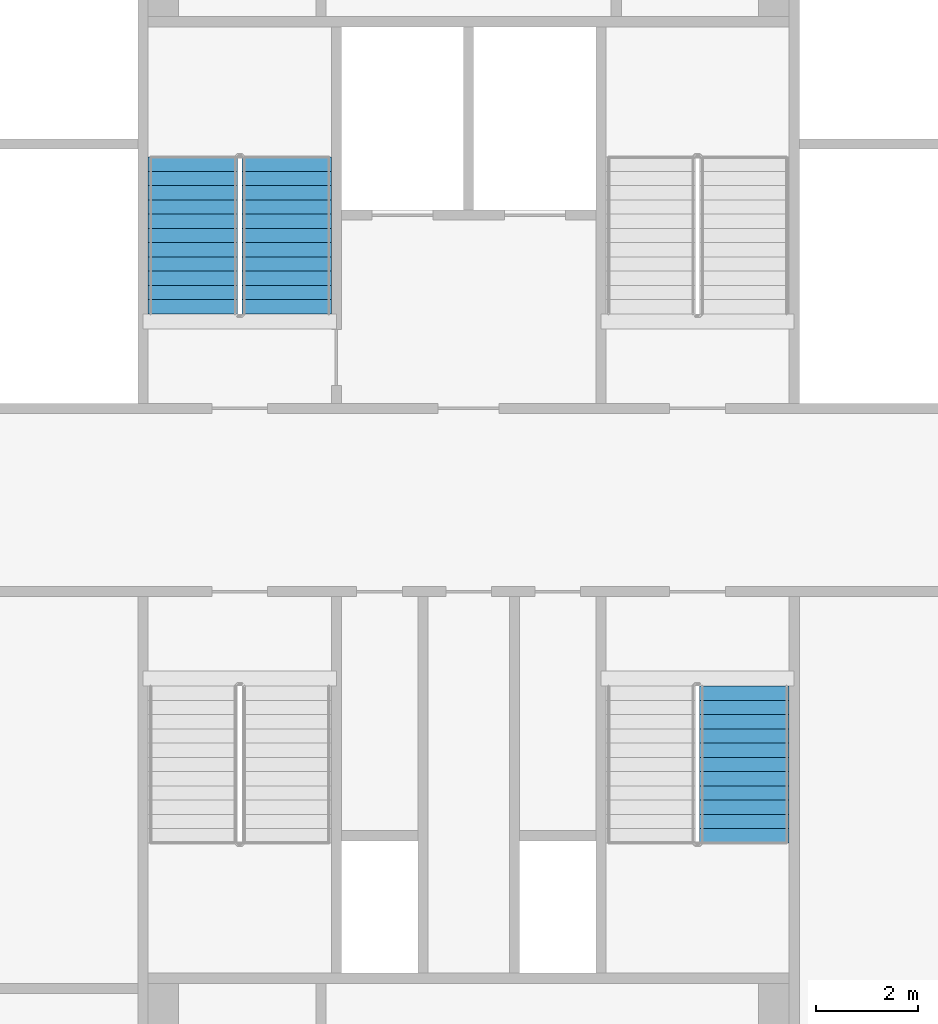
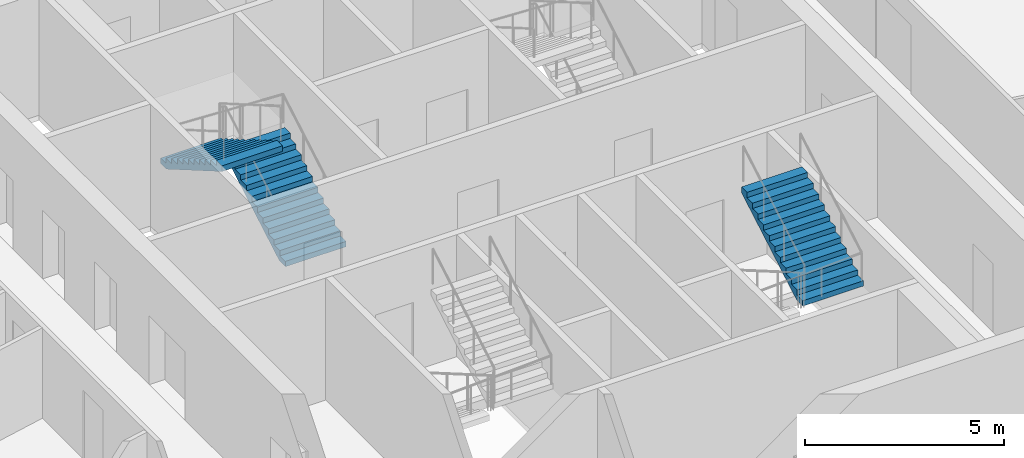
# One storey, part 8 of 14: 3 stair flights, 2 elements without a shape of their own.
"""IFC4 building model written with IfcOpenShell, lengths in metres."""

from ifc_helpers import new_model, si_unit, direction, frame, origin, place, context, subcontext, project, spatial, faceted_brep, material, type_object, element, aggregate, save


model = new_model("IFC4")

# Units and contexts
model_context = context("Model", 3, precision=1e-05, world=origin(), true_north=direction((0.0, 1.0)))
body_context = subcontext(model_context, "Body", "Model", "MODEL_VIEW")
ifc_project = project(units=[si_unit("LENGTHUNIT", "METRE"), si_unit("AREAUNIT", "SQUARE_METRE"), si_unit("VOLUMEUNIT", "CUBIC_METRE"), si_unit("PLANEANGLEUNIT", "RADIAN"), si_unit("MASSUNIT", "GRAM", prefix="KILO")], contexts=[model_context])

# Site, building, storey
site_placement = place(None, origin())
site = spatial("IfcSite", under=ifc_project, at=site_placement, CompositionType="ELEMENT")
building_placement = place(site_placement, origin())
building = spatial("IfcBuilding", under=site, at=building_placement, Name="Tarsis Ring Headquarters", CompositionType="ELEMENT")
storey_placement = place(building_placement, frame((0.0, 0.0, 335.300048828125)))
storey = spatial("IfcBuildingStorey", under=building, at=storey_placement, Name="L79", CompositionType="ELEMENT", Elevation=335.300048828125)

# Stair, stair flights
ifc_material_1 = material(Name="Core stair 1760")
stair_type = type_object("IfcStairType", Name="Core stair 1760", PredefinedType="HALF_TURN_STAIR", material=ifc_material_1)
stair_1_placement = place(storey_placement, origin())
stair_1 = element("IfcStair", 1, at=stair_1_placement, inside=storey, type_object=stair_type, Name="L79 Firefighting stair", PredefinedType="HALF_TURN_STAIR")
ifc_material_2 = material(Name="Concrete C40/50", Category="concrete")
stair_flight_type = type_object("IfcStairFlightType", Name="Core stair flight 1760", PredefinedType="STRAIGHT", material=ifc_material_2)
stair_flight_1_placement = place(storey_placement, frame((-3.580078125, 3.659912109375, 0.0), z_axis=(0.0, 0.0, 1.0), x_axis=(0.0, 1.0, 0.0)))
stair_flight_1 = element("IfcStairFlight", 2, at=stair_flight_1_placement, type_object=stair_flight_type, Name="Stair ST1 flight 1", NumberOfRisers=12, NumberOfTreads=11, PredefinedType="STRAIGHT", RiserHeight=0.1625, TreadLength=0.28, context=body_context, shape_type="Brep", body=[
    faceted_brep([(0.0, 0.8798828125, 0.0), (0.0, 0.8798828125, 0.16259765625), (0.280029296875, 0.8798828125, 0.16259765625), (0.280029296875, 0.8798828125, 0.324951171875), (0.56005859375, 0.8798828125, 0.324951171875), (0.56005859375, 0.8798828125, 0.487548828125), (0.840087890625, 0.8798828125, 0.487548828125), (0.840087890625, 0.8798828125, 0.64990234375), (1.1201171875, 0.8798828125, 0.64990234375), (1.1201171875, 0.8798828125, 0.8125), (1.39990234375, 0.8798828125, 0.8125), (1.39990234375, 0.8798828125, 0.97509765625), (1.679931640625, 0.8798828125, 0.97509765625), (1.679931640625, 0.8798828125, 1.137451171875), (1.9599609375, 0.8798828125, 1.137451171875), (1.9599609375, 0.8798828125, 1.300048828125), (2.239990234375, 0.8798828125, 1.300048828125), (2.239990234375, 0.8798828125, 1.46240234375), (2.52001953125, 0.8798828125, 1.46240234375), (2.52001953125, 0.8798828125, 1.625), (2.800048828125, 0.8798828125, 1.625), (2.800048828125, 0.8798828125, 1.78759765625), (3.080078125, 0.8798828125, 1.78759765625), (3.080078125, 0.8798828125, 1.6142578125), (0.298583984375, 0.8798828125, 0.0), (0.298583984375, -0.8798828125, 0.0), (3.080078125, -0.8798828125, 1.6142578125), (3.080078125, -0.8798828125, 1.78759765625), (2.800048828125, -0.8798828125, 1.78759765625), (2.800048828125, -0.8798828125, 1.625), (2.52001953125, -0.8798828125, 1.625), (2.52001953125, -0.8798828125, 1.46240234375), (2.239990234375, -0.8798828125, 1.46240234375), (2.239990234375, -0.8798828125, 1.300048828125), (1.9599609375, -0.8798828125, 1.300048828125), (1.9599609375, -0.8798828125, 1.137451171875), (1.679931640625, -0.8798828125, 1.137451171875), (1.679931640625, -0.8798828125, 0.97509765625), (1.39990234375, -0.8798828125, 0.97509765625), (1.39990234375, -0.8798828125, 0.8125), (1.1201171875, -0.8798828125, 0.8125), (1.1201171875, -0.8798828125, 0.64990234375), (0.840087890625, -0.8798828125, 0.64990234375), (0.840087890625, -0.8798828125, 0.487548828125), (0.56005859375, -0.8798828125, 0.487548828125), (0.56005859375, -0.8798828125, 0.324951171875), (0.280029296875, -0.8798828125, 0.324951171875), (0.280029296875, -0.8798828125, 0.16259765625), (0.0, -0.8798828125, 0.16259765625), (0.0, -0.8798828125, 0.0), (0.0, -0.43994140625, 0.16259765625), (0.0, -0.43994140625, 0.0), (0.0, 0.0, 0.16259765625), (0.0, 0.0, 0.0), (0.0, 0.43994140625, 0.16259765625), (0.0, 0.43994140625, 0.0), (0.280029296875, -0.43994140625, 0.16259765625), (0.280029296875, 0.0, 0.16259765625), (0.280029296875, 0.43994140625, 0.16259765625), (0.280029296875, -0.43994140625, 0.324951171875), (0.280029296875, 0.0, 0.324951171875), (0.280029296875, 0.43994140625, 0.324951171875), (0.56005859375, -0.43994140625, 0.324951171875), (0.56005859375, 0.0, 0.324951171875), (0.56005859375, 0.43994140625, 0.324951171875), (0.56005859375, -0.43994140625, 0.487548828125), (0.56005859375, 0.0, 0.487548828125), (0.56005859375, 0.43994140625, 0.487548828125), (0.840087890625, -0.43994140625, 0.487548828125), (0.840087890625, 0.0, 0.487548828125), (0.840087890625, 0.43994140625, 0.487548828125), (0.840087890625, -0.43994140625, 0.64990234375), (0.840087890625, 0.0, 0.64990234375), (0.840087890625, 0.43994140625, 0.64990234375), (1.1201171875, -0.43994140625, 0.64990234375), (1.1201171875, 0.0, 0.64990234375), (1.1201171875, 0.43994140625, 0.64990234375), (1.1201171875, -0.43994140625, 0.8125), (1.1201171875, 0.0, 0.8125), (1.1201171875, 0.43994140625, 0.8125), (1.39990234375, -0.43994140625, 0.8125), (1.39990234375, 0.0, 0.8125), (1.39990234375, 0.43994140625, 0.8125), (1.39990234375, -0.43994140625, 0.97509765625), (1.39990234375, 0.0, 0.97509765625), (1.39990234375, 0.43994140625, 0.97509765625), (1.679931640625, -0.43994140625, 0.97509765625), (1.679931640625, 0.0, 0.97509765625), (1.679931640625, 0.43994140625, 0.97509765625), (1.679931640625, -0.43994140625, 1.137451171875), (1.679931640625, 0.0, 1.137451171875), (1.679931640625, 0.43994140625, 1.137451171875), (1.9599609375, -0.43994140625, 1.137451171875), (1.9599609375, 0.0, 1.137451171875), (1.9599609375, 0.43994140625, 1.137451171875), (1.9599609375, -0.43994140625, 1.300048828125), (1.9599609375, 0.0, 1.300048828125), (1.9599609375, 0.43994140625, 1.300048828125), (2.239990234375, -0.43994140625, 1.300048828125), (2.239990234375, 0.0, 1.300048828125), (2.239990234375, 0.43994140625, 1.300048828125), (2.239990234375, -0.43994140625, 1.46240234375), (2.239990234375, 0.0, 1.46240234375), (2.239990234375, 0.43994140625, 1.46240234375), (2.52001953125, -0.43994140625, 1.46240234375), (2.52001953125, 0.0, 1.46240234375), (2.52001953125, 0.43994140625, 1.46240234375), (2.52001953125, -0.43994140625, 1.625), (2.52001953125, 0.0, 1.625), (2.52001953125, 0.43994140625, 1.625), (2.800048828125, -0.43994140625, 1.625), (2.800048828125, 0.0, 1.625), (2.800048828125, 0.43994140625, 1.625), (2.800048828125, -0.43994140625, 1.78759765625), (2.800048828125, 0.0, 1.78759765625), (2.800048828125, 0.43994140625, 1.78759765625), (3.080078125, -0.43994140625, 1.78759765625), (3.080078125, 0.0, 1.78759765625), (3.080078125, 0.43994140625, 1.78759765625), (3.080078125, -0.43994140625, 1.6142578125), (3.080078125, 0.0, 1.6142578125), (3.080078125, 0.43994140625, 1.6142578125), (0.298583984375, -0.43994140625, 0.0), (0.298583984375, 0.0, 0.0), (0.298583984375, 0.43994140625, 0.0)], [[[0, 1, 2, 3, 4, 5, 6, 7, 8, 9, 10, 11, 12, 13, 14, 15, 16, 17, 18, 19, 20, 21, 22, 23, 24]], [[25, 26, 27, 28, 29, 30, 31, 32, 33, 34, 35, 36, 37, 38, 39, 40, 41, 42, 43, 44, 45, 46, 47, 48, 49]], [[49, 48, 50, 51]], [[51, 50, 52, 53]], [[53, 52, 54, 55]], [[55, 54, 1, 0]], [[48, 47, 56, 50]], [[50, 56, 57, 52]], [[52, 57, 58, 54]], [[54, 58, 2, 1]], [[47, 46, 59, 56]], [[56, 59, 60, 57]], [[57, 60, 61, 58]], [[58, 61, 3, 2]], [[46, 45, 62, 59]], [[59, 62, 63, 60]], [[60, 63, 64, 61]], [[61, 64, 4, 3]], [[45, 44, 65, 62]], [[62, 65, 66, 63]], [[63, 66, 67, 64]], [[64, 67, 5, 4]], [[44, 43, 68, 65]], [[65, 68, 69, 66]], [[66, 69, 70, 67]], [[67, 70, 6, 5]], [[43, 42, 71, 68]], [[68, 71, 72, 69]], [[69, 72, 73, 70]], [[70, 73, 7, 6]], [[42, 41, 74, 71]], [[71, 74, 75, 72]], [[72, 75, 76, 73]], [[73, 76, 8, 7]], [[41, 40, 77, 74]], [[74, 77, 78, 75]], [[75, 78, 79, 76]], [[76, 79, 9, 8]], [[40, 39, 80, 77]], [[77, 80, 81, 78]], [[78, 81, 82, 79]], [[79, 82, 10, 9]], [[39, 38, 83, 80]], [[80, 83, 84, 81]], [[81, 84, 85, 82]], [[82, 85, 11, 10]], [[38, 37, 86, 83]], [[83, 86, 87, 84]], [[84, 87, 88, 85]], [[85, 88, 12, 11]], [[37, 36, 89, 86]], [[86, 89, 90, 87]], [[87, 90, 91, 88]], [[88, 91, 13, 12]], [[36, 35, 92, 89]], [[89, 92, 93, 90]], [[90, 93, 94, 91]], [[91, 94, 14, 13]], [[35, 34, 95, 92]], [[92, 95, 96, 93]], [[93, 96, 97, 94]], [[94, 97, 15, 14]], [[34, 33, 98, 95]], [[95, 98, 99, 96]], [[96, 99, 100, 97]], [[97, 100, 16, 15]], [[33, 32, 101, 98]], [[98, 101, 102, 99]], [[99, 102, 103, 100]], [[100, 103, 17, 16]], [[32, 31, 104, 101]], [[101, 104, 105, 102]], [[102, 105, 106, 103]], [[103, 106, 18, 17]], [[31, 30, 107, 104]], [[104, 107, 108, 105]], [[105, 108, 109, 106]], [[106, 109, 19, 18]], [[30, 29, 110, 107]], [[107, 110, 111, 108]], [[108, 111, 112, 109]], [[109, 112, 20, 19]], [[29, 28, 113, 110]], [[110, 113, 114, 111]], [[111, 114, 115, 112]], [[112, 115, 21, 20]], [[28, 27, 116, 113]], [[113, 116, 117, 114]], [[114, 117, 118, 115]], [[115, 118, 22, 21]], [[27, 26, 119, 116]], [[116, 119, 120, 117]], [[117, 120, 121, 118]], [[118, 121, 23, 22]], [[26, 25, 122, 119]], [[119, 122, 123, 120]], [[120, 123, 124, 121]], [[121, 124, 24, 23]], [[25, 49, 51, 122]], [[122, 51, 53, 123]], [[123, 53, 55, 124]], [[124, 55, 0, 24]]]),
])
stair_flight_2_placement = place(storey_placement, frame((-5.419921875, 6.739990234375, 1.949951171875), z_axis=(0.0, 0.0, 1.0), x_axis=(0.0, -1.0, 0.0)))
stair_flight_2 = element("IfcStairFlight", 3, at=stair_flight_2_placement, type_object=stair_flight_type, Name="Stair ST1 flight 2", NumberOfRisers=12, NumberOfTreads=11, PredefinedType="STRAIGHT", RiserHeight=0.1625, TreadLength=0.28, context=body_context, shape_type="Brep", body=[
    faceted_brep([(0.0, 0.8798828125, 0.0), (0.0, 0.8798828125, 0.16259765625), (0.280029296875, 0.8798828125, 0.16259765625), (0.280029296875, 0.8798828125, 0.324951171875), (0.56005859375, 0.8798828125, 0.324951171875), (0.56005859375, 0.8798828125, 0.487548828125), (0.840087890625, 0.8798828125, 0.487548828125), (0.840087890625, 0.8798828125, 0.64990234375), (1.1201171875, 0.8798828125, 0.64990234375), (1.1201171875, 0.8798828125, 0.8125), (1.39990234375, 0.8798828125, 0.8125), (1.39990234375, 0.8798828125, 0.97509765625), (1.679931640625, 0.8798828125, 0.97509765625), (1.679931640625, 0.8798828125, 1.137451171875), (1.9599609375, 0.8798828125, 1.137451171875), (1.9599609375, 0.8798828125, 1.300048828125), (2.239990234375, 0.8798828125, 1.300048828125), (2.239990234375, 0.8798828125, 1.46240234375), (2.52001953125, 0.8798828125, 1.46240234375), (2.52001953125, 0.8798828125, 1.625), (2.800048828125, 0.8798828125, 1.625), (2.800048828125, 0.8798828125, 1.78759765625), (3.080078125, 0.8798828125, 1.78759765625), (3.080078125, 0.8798828125, 1.6142578125), (0.298583984375, 0.8798828125, 0.0), (0.298583984375, -0.8798828125, 0.0), (3.080078125, -0.8798828125, 1.6142578125), (3.080078125, -0.8798828125, 1.78759765625), (2.800048828125, -0.8798828125, 1.78759765625), (2.800048828125, -0.8798828125, 1.625), (2.52001953125, -0.8798828125, 1.625), (2.52001953125, -0.8798828125, 1.46240234375), (2.239990234375, -0.8798828125, 1.46240234375), (2.239990234375, -0.8798828125, 1.300048828125), (1.9599609375, -0.8798828125, 1.300048828125), (1.9599609375, -0.8798828125, 1.137451171875), (1.679931640625, -0.8798828125, 1.137451171875), (1.679931640625, -0.8798828125, 0.97509765625), (1.39990234375, -0.8798828125, 0.97509765625), (1.39990234375, -0.8798828125, 0.8125), (1.1201171875, -0.8798828125, 0.8125), (1.1201171875, -0.8798828125, 0.64990234375), (0.840087890625, -0.8798828125, 0.64990234375), (0.840087890625, -0.8798828125, 0.487548828125), (0.56005859375, -0.8798828125, 0.487548828125), (0.56005859375, -0.8798828125, 0.324951171875), (0.280029296875, -0.8798828125, 0.324951171875), (0.280029296875, -0.8798828125, 0.16259765625), (0.0, -0.8798828125, 0.16259765625), (0.0, -0.8798828125, 0.0), (0.0, -0.43994140625, 0.16259765625), (0.0, -0.43994140625, 0.0), (0.0, 0.0, 0.16259765625), (0.0, 0.0, 0.0), (0.0, 0.43994140625, 0.16259765625), (0.0, 0.43994140625, 0.0), (0.280029296875, -0.43994140625, 0.16259765625), (0.280029296875, 0.0, 0.16259765625), (0.280029296875, 0.43994140625, 0.16259765625), (0.280029296875, -0.43994140625, 0.324951171875), (0.280029296875, 0.0, 0.324951171875), (0.280029296875, 0.43994140625, 0.324951171875), (0.56005859375, -0.43994140625, 0.324951171875), (0.56005859375, 0.0, 0.324951171875), (0.56005859375, 0.43994140625, 0.324951171875), (0.56005859375, -0.43994140625, 0.487548828125), (0.56005859375, 0.0, 0.487548828125), (0.56005859375, 0.43994140625, 0.487548828125), (0.840087890625, -0.43994140625, 0.487548828125), (0.840087890625, 0.0, 0.487548828125), (0.840087890625, 0.43994140625, 0.487548828125), (0.840087890625, -0.43994140625, 0.64990234375), (0.840087890625, 0.0, 0.64990234375), (0.840087890625, 0.43994140625, 0.64990234375), (1.1201171875, -0.43994140625, 0.64990234375), (1.1201171875, 0.0, 0.64990234375), (1.1201171875, 0.43994140625, 0.64990234375), (1.1201171875, -0.43994140625, 0.8125), (1.1201171875, 0.0, 0.8125), (1.1201171875, 0.43994140625, 0.8125), (1.39990234375, -0.43994140625, 0.8125), (1.39990234375, 0.0, 0.8125), (1.39990234375, 0.43994140625, 0.8125), (1.39990234375, -0.43994140625, 0.97509765625), (1.39990234375, 0.0, 0.97509765625), (1.39990234375, 0.43994140625, 0.97509765625), (1.679931640625, -0.43994140625, 0.97509765625), (1.679931640625, 0.0, 0.97509765625), (1.679931640625, 0.43994140625, 0.97509765625), (1.679931640625, -0.43994140625, 1.137451171875), (1.679931640625, 0.0, 1.137451171875), (1.679931640625, 0.43994140625, 1.137451171875), (1.9599609375, -0.43994140625, 1.137451171875), (1.9599609375, 0.0, 1.137451171875), (1.9599609375, 0.43994140625, 1.137451171875), (1.9599609375, -0.43994140625, 1.300048828125), (1.9599609375, 0.0, 1.300048828125), (1.9599609375, 0.43994140625, 1.300048828125), (2.239990234375, -0.43994140625, 1.300048828125), (2.239990234375, 0.0, 1.300048828125), (2.239990234375, 0.43994140625, 1.300048828125), (2.239990234375, -0.43994140625, 1.46240234375), (2.239990234375, 0.0, 1.46240234375), (2.239990234375, 0.43994140625, 1.46240234375), (2.52001953125, -0.43994140625, 1.46240234375), (2.52001953125, 0.0, 1.46240234375), (2.52001953125, 0.43994140625, 1.46240234375), (2.52001953125, -0.43994140625, 1.625), (2.52001953125, 0.0, 1.625), (2.52001953125, 0.43994140625, 1.625), (2.800048828125, -0.43994140625, 1.625), (2.800048828125, 0.0, 1.625), (2.800048828125, 0.43994140625, 1.625), (2.800048828125, -0.43994140625, 1.78759765625), (2.800048828125, 0.0, 1.78759765625), (2.800048828125, 0.43994140625, 1.78759765625), (3.080078125, -0.43994140625, 1.78759765625), (3.080078125, 0.0, 1.78759765625), (3.080078125, 0.43994140625, 1.78759765625), (3.080078125, -0.43994140625, 1.6142578125), (3.080078125, 0.0, 1.6142578125), (3.080078125, 0.43994140625, 1.6142578125), (0.298583984375, -0.43994140625, 0.0), (0.298583984375, 0.0, 0.0), (0.298583984375, 0.43994140625, 0.0)], [[[0, 1, 2, 3, 4, 5, 6, 7, 8, 9, 10, 11, 12, 13, 14, 15, 16, 17, 18, 19, 20, 21, 22, 23, 24]], [[25, 26, 27, 28, 29, 30, 31, 32, 33, 34, 35, 36, 37, 38, 39, 40, 41, 42, 43, 44, 45, 46, 47, 48, 49]], [[49, 48, 50, 51]], [[51, 50, 52, 53]], [[53, 52, 54, 55]], [[55, 54, 1, 0]], [[48, 47, 56, 50]], [[50, 56, 57, 52]], [[52, 57, 58, 54]], [[54, 58, 2, 1]], [[47, 46, 59, 56]], [[56, 59, 60, 57]], [[57, 60, 61, 58]], [[58, 61, 3, 2]], [[46, 45, 62, 59]], [[59, 62, 63, 60]], [[60, 63, 64, 61]], [[61, 64, 4, 3]], [[45, 44, 65, 62]], [[62, 65, 66, 63]], [[63, 66, 67, 64]], [[64, 67, 5, 4]], [[44, 43, 68, 65]], [[65, 68, 69, 66]], [[66, 69, 70, 67]], [[67, 70, 6, 5]], [[43, 42, 71, 68]], [[68, 71, 72, 69]], [[69, 72, 73, 70]], [[70, 73, 7, 6]], [[42, 41, 74, 71]], [[71, 74, 75, 72]], [[72, 75, 76, 73]], [[73, 76, 8, 7]], [[41, 40, 77, 74]], [[74, 77, 78, 75]], [[75, 78, 79, 76]], [[76, 79, 9, 8]], [[40, 39, 80, 77]], [[77, 80, 81, 78]], [[78, 81, 82, 79]], [[79, 82, 10, 9]], [[39, 38, 83, 80]], [[80, 83, 84, 81]], [[81, 84, 85, 82]], [[82, 85, 11, 10]], [[38, 37, 86, 83]], [[83, 86, 87, 84]], [[84, 87, 88, 85]], [[85, 88, 12, 11]], [[37, 36, 89, 86]], [[86, 89, 90, 87]], [[87, 90, 91, 88]], [[88, 91, 13, 12]], [[36, 35, 92, 89]], [[89, 92, 93, 90]], [[90, 93, 94, 91]], [[91, 94, 14, 13]], [[35, 34, 95, 92]], [[92, 95, 96, 93]], [[93, 96, 97, 94]], [[94, 97, 15, 14]], [[34, 33, 98, 95]], [[95, 98, 99, 96]], [[96, 99, 100, 97]], [[97, 100, 16, 15]], [[33, 32, 101, 98]], [[98, 101, 102, 99]], [[99, 102, 103, 100]], [[100, 103, 17, 16]], [[32, 31, 104, 101]], [[101, 104, 105, 102]], [[102, 105, 106, 103]], [[103, 106, 18, 17]], [[31, 30, 107, 104]], [[104, 107, 108, 105]], [[105, 108, 109, 106]], [[106, 109, 19, 18]], [[30, 29, 110, 107]], [[107, 110, 111, 108]], [[108, 111, 112, 109]], [[109, 112, 20, 19]], [[29, 28, 113, 110]], [[110, 113, 114, 111]], [[111, 114, 115, 112]], [[112, 115, 21, 20]], [[28, 27, 116, 113]], [[113, 116, 117, 114]], [[114, 117, 118, 115]], [[115, 118, 22, 21]], [[27, 26, 119, 116]], [[116, 119, 120, 117]], [[117, 120, 121, 118]], [[118, 121, 23, 22]], [[26, 25, 122, 119]], [[119, 122, 123, 120]], [[120, 123, 124, 121]], [[121, 124, 24, 23]], [[25, 49, 51, 122]], [[122, 51, 53, 123]], [[123, 53, 55, 124]], [[124, 55, 0, 24]]]),
])
aggregate(stair_1, [stair_flight_1, stair_flight_2])

# Stair, stair flight
stair_2_placement = place(storey_placement, origin())
stair_2 = element("IfcStair", 4, at=stair_2_placement, inside=storey, type_object=stair_type, Name="L79 Exit stair D", PredefinedType="HALF_TURN_STAIR")
stair_flight_3_placement = place(storey_placement, frame((5.419921875, -6.739990234375, 1.949951171875), z_axis=(0.0, 0.0, 1.0), x_axis=(0.0, 1.0, 0.0)))
stair_flight_3 = element("IfcStairFlight", 5, at=stair_flight_3_placement, type_object=stair_flight_type, Name="Stair ST4 flight 2", NumberOfRisers=12, NumberOfTreads=11, PredefinedType="STRAIGHT", RiserHeight=0.1625, TreadLength=0.28, context=body_context, shape_type="Brep", body=[
    faceted_brep([(0.0, 0.8798828125, 0.0), (0.0, 0.8798828125, 0.16259765625), (0.280029296875, 0.8798828125, 0.16259765625), (0.280029296875, 0.8798828125, 0.324951171875), (0.56005859375, 0.8798828125, 0.324951171875), (0.56005859375, 0.8798828125, 0.487548828125), (0.840087890625, 0.8798828125, 0.487548828125), (0.840087890625, 0.8798828125, 0.64990234375), (1.1201171875, 0.8798828125, 0.64990234375), (1.1201171875, 0.8798828125, 0.8125), (1.39990234375, 0.8798828125, 0.8125), (1.39990234375, 0.8798828125, 0.97509765625), (1.679931640625, 0.8798828125, 0.97509765625), (1.679931640625, 0.8798828125, 1.137451171875), (1.9599609375, 0.8798828125, 1.137451171875), (1.9599609375, 0.8798828125, 1.300048828125), (2.239990234375, 0.8798828125, 1.300048828125), (2.239990234375, 0.8798828125, 1.46240234375), (2.52001953125, 0.8798828125, 1.46240234375), (2.52001953125, 0.8798828125, 1.625), (2.800048828125, 0.8798828125, 1.625), (2.800048828125, 0.8798828125, 1.78759765625), (3.080078125, 0.8798828125, 1.78759765625), (3.080078125, 0.8798828125, 1.6142578125), (0.298583984375, 0.8798828125, 0.0), (0.298583984375, -0.8798828125, 0.0), (3.080078125, -0.8798828125, 1.6142578125), (3.080078125, -0.8798828125, 1.78759765625), (2.800048828125, -0.8798828125, 1.78759765625), (2.800048828125, -0.8798828125, 1.625), (2.52001953125, -0.8798828125, 1.625), (2.52001953125, -0.8798828125, 1.46240234375), (2.239990234375, -0.8798828125, 1.46240234375), (2.239990234375, -0.8798828125, 1.300048828125), (1.9599609375, -0.8798828125, 1.300048828125), (1.9599609375, -0.8798828125, 1.137451171875), (1.679931640625, -0.8798828125, 1.137451171875), (1.679931640625, -0.8798828125, 0.97509765625), (1.39990234375, -0.8798828125, 0.97509765625), (1.39990234375, -0.8798828125, 0.8125), (1.1201171875, -0.8798828125, 0.8125), (1.1201171875, -0.8798828125, 0.64990234375), (0.840087890625, -0.8798828125, 0.64990234375), (0.840087890625, -0.8798828125, 0.487548828125), (0.56005859375, -0.8798828125, 0.487548828125), (0.56005859375, -0.8798828125, 0.324951171875), (0.280029296875, -0.8798828125, 0.324951171875), (0.280029296875, -0.8798828125, 0.16259765625), (0.0, -0.8798828125, 0.16259765625), (0.0, -0.8798828125, 0.0), (0.0, -0.43994140625, 0.16259765625), (0.0, -0.43994140625, 0.0), (0.0, 0.0, 0.16259765625), (0.0, 0.0, 0.0), (0.0, 0.43994140625, 0.16259765625), (0.0, 0.43994140625, 0.0), (0.280029296875, -0.43994140625, 0.16259765625), (0.280029296875, 0.0, 0.16259765625), (0.280029296875, 0.43994140625, 0.16259765625), (0.280029296875, -0.43994140625, 0.324951171875), (0.280029296875, 0.0, 0.324951171875), (0.280029296875, 0.43994140625, 0.324951171875), (0.56005859375, -0.43994140625, 0.324951171875), (0.56005859375, 0.0, 0.324951171875), (0.56005859375, 0.43994140625, 0.324951171875), (0.56005859375, -0.43994140625, 0.487548828125), (0.56005859375, 0.0, 0.487548828125), (0.56005859375, 0.43994140625, 0.487548828125), (0.840087890625, -0.43994140625, 0.487548828125), (0.840087890625, 0.0, 0.487548828125), (0.840087890625, 0.43994140625, 0.487548828125), (0.840087890625, -0.43994140625, 0.64990234375), (0.840087890625, 0.0, 0.64990234375), (0.840087890625, 0.43994140625, 0.64990234375), (1.1201171875, -0.43994140625, 0.64990234375), (1.1201171875, 0.0, 0.64990234375), (1.1201171875, 0.43994140625, 0.64990234375), (1.1201171875, -0.43994140625, 0.8125), (1.1201171875, 0.0, 0.8125), (1.1201171875, 0.43994140625, 0.8125), (1.39990234375, -0.43994140625, 0.8125), (1.39990234375, 0.0, 0.8125), (1.39990234375, 0.43994140625, 0.8125), (1.39990234375, -0.43994140625, 0.97509765625), (1.39990234375, 0.0, 0.97509765625), (1.39990234375, 0.43994140625, 0.97509765625), (1.679931640625, -0.43994140625, 0.97509765625), (1.679931640625, 0.0, 0.97509765625), (1.679931640625, 0.43994140625, 0.97509765625), (1.679931640625, -0.43994140625, 1.137451171875), (1.679931640625, 0.0, 1.137451171875), (1.679931640625, 0.43994140625, 1.137451171875), (1.9599609375, -0.43994140625, 1.137451171875), (1.9599609375, 0.0, 1.137451171875), (1.9599609375, 0.43994140625, 1.137451171875), (1.9599609375, -0.43994140625, 1.300048828125), (1.9599609375, 0.0, 1.300048828125), (1.9599609375, 0.43994140625, 1.300048828125), (2.239990234375, -0.43994140625, 1.300048828125), (2.239990234375, 0.0, 1.300048828125), (2.239990234375, 0.43994140625, 1.300048828125), (2.239990234375, -0.43994140625, 1.46240234375), (2.239990234375, 0.0, 1.46240234375), (2.239990234375, 0.43994140625, 1.46240234375), (2.52001953125, -0.43994140625, 1.46240234375), (2.52001953125, 0.0, 1.46240234375), (2.52001953125, 0.43994140625, 1.46240234375), (2.52001953125, -0.43994140625, 1.625), (2.52001953125, 0.0, 1.625), (2.52001953125, 0.43994140625, 1.625), (2.800048828125, -0.43994140625, 1.625), (2.800048828125, 0.0, 1.625), (2.800048828125, 0.43994140625, 1.625), (2.800048828125, -0.43994140625, 1.78759765625), (2.800048828125, 0.0, 1.78759765625), (2.800048828125, 0.43994140625, 1.78759765625), (3.080078125, -0.43994140625, 1.78759765625), (3.080078125, 0.0, 1.78759765625), (3.080078125, 0.43994140625, 1.78759765625), (3.080078125, -0.43994140625, 1.6142578125), (3.080078125, 0.0, 1.6142578125), (3.080078125, 0.43994140625, 1.6142578125), (0.298583984375, -0.43994140625, 0.0), (0.298583984375, 0.0, 0.0), (0.298583984375, 0.43994140625, 0.0)], [[[0, 1, 2, 3, 4, 5, 6, 7, 8, 9, 10, 11, 12, 13, 14, 15, 16, 17, 18, 19, 20, 21, 22, 23, 24]], [[25, 26, 27, 28, 29, 30, 31, 32, 33, 34, 35, 36, 37, 38, 39, 40, 41, 42, 43, 44, 45, 46, 47, 48, 49]], [[49, 48, 50, 51]], [[51, 50, 52, 53]], [[53, 52, 54, 55]], [[55, 54, 1, 0]], [[48, 47, 56, 50]], [[50, 56, 57, 52]], [[52, 57, 58, 54]], [[54, 58, 2, 1]], [[47, 46, 59, 56]], [[56, 59, 60, 57]], [[57, 60, 61, 58]], [[58, 61, 3, 2]], [[46, 45, 62, 59]], [[59, 62, 63, 60]], [[60, 63, 64, 61]], [[61, 64, 4, 3]], [[45, 44, 65, 62]], [[62, 65, 66, 63]], [[63, 66, 67, 64]], [[64, 67, 5, 4]], [[44, 43, 68, 65]], [[65, 68, 69, 66]], [[66, 69, 70, 67]], [[67, 70, 6, 5]], [[43, 42, 71, 68]], [[68, 71, 72, 69]], [[69, 72, 73, 70]], [[70, 73, 7, 6]], [[42, 41, 74, 71]], [[71, 74, 75, 72]], [[72, 75, 76, 73]], [[73, 76, 8, 7]], [[41, 40, 77, 74]], [[74, 77, 78, 75]], [[75, 78, 79, 76]], [[76, 79, 9, 8]], [[40, 39, 80, 77]], [[77, 80, 81, 78]], [[78, 81, 82, 79]], [[79, 82, 10, 9]], [[39, 38, 83, 80]], [[80, 83, 84, 81]], [[81, 84, 85, 82]], [[82, 85, 11, 10]], [[38, 37, 86, 83]], [[83, 86, 87, 84]], [[84, 87, 88, 85]], [[85, 88, 12, 11]], [[37, 36, 89, 86]], [[86, 89, 90, 87]], [[87, 90, 91, 88]], [[88, 91, 13, 12]], [[36, 35, 92, 89]], [[89, 92, 93, 90]], [[90, 93, 94, 91]], [[91, 94, 14, 13]], [[35, 34, 95, 92]], [[92, 95, 96, 93]], [[93, 96, 97, 94]], [[94, 97, 15, 14]], [[34, 33, 98, 95]], [[95, 98, 99, 96]], [[96, 99, 100, 97]], [[97, 100, 16, 15]], [[33, 32, 101, 98]], [[98, 101, 102, 99]], [[99, 102, 103, 100]], [[100, 103, 17, 16]], [[32, 31, 104, 101]], [[101, 104, 105, 102]], [[102, 105, 106, 103]], [[103, 106, 18, 17]], [[31, 30, 107, 104]], [[104, 107, 108, 105]], [[105, 108, 109, 106]], [[106, 109, 19, 18]], [[30, 29, 110, 107]], [[107, 110, 111, 108]], [[108, 111, 112, 109]], [[109, 112, 20, 19]], [[29, 28, 113, 110]], [[110, 113, 114, 111]], [[111, 114, 115, 112]], [[112, 115, 21, 20]], [[28, 27, 116, 113]], [[113, 116, 117, 114]], [[114, 117, 118, 115]], [[115, 118, 22, 21]], [[27, 26, 119, 116]], [[116, 119, 120, 117]], [[117, 120, 121, 118]], [[118, 121, 23, 22]], [[26, 25, 122, 119]], [[119, 122, 123, 120]], [[120, 123, 124, 121]], [[121, 124, 24, 23]], [[25, 49, 51, 122]], [[122, 51, 53, 123]], [[123, 53, 55, 124]], [[124, 55, 0, 24]]]),
])
aggregate(stair_2, [stair_flight_3])

save(model, "model.ifc")
